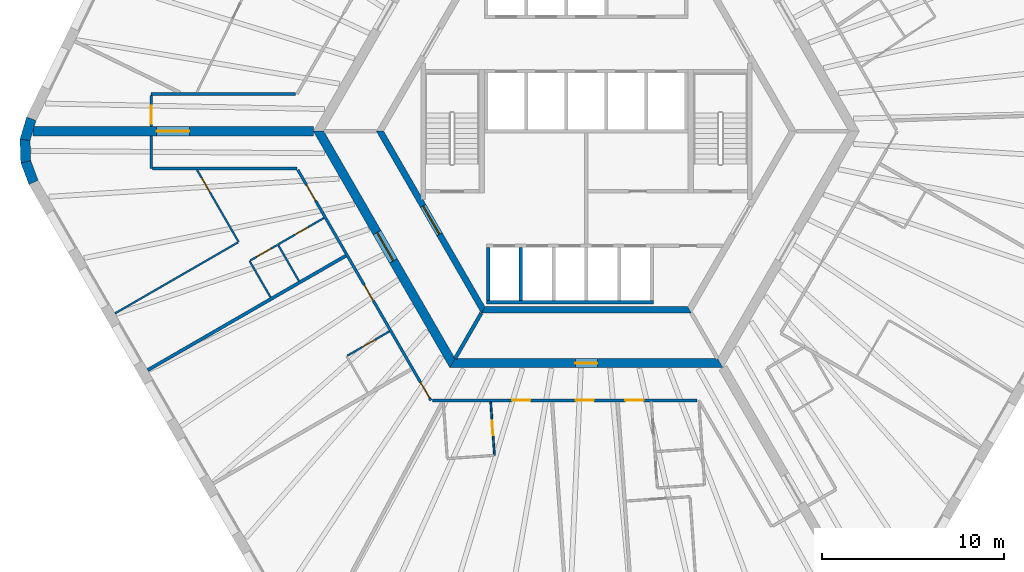
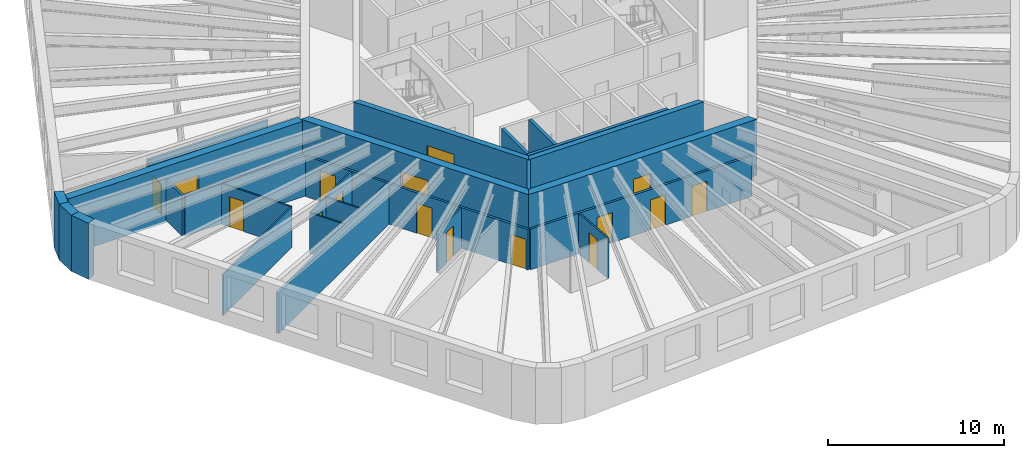
# One storey, part 3 of 10: 27 walls, 16 doors, 16 openings.
"""IFC4 building model written with IfcOpenShell, lengths in metres."""

from ifc_helpers import new_model, si_unit, direction, frame, frame_2d, origin, place, context, subcontext, project, spatial, polyline, rectangle, outline, extrude, material, layer, layer_set, type_object, element, fill, save


model = new_model("IFC4")

# Units and contexts
model_context = context("Model", 3, precision=1e-05, world=origin(), true_north=direction((0.0, 1.0)))
body_context = subcontext(model_context, "Body", "Model", "MODEL_VIEW")
ifc_project = project(units=[si_unit("LENGTHUNIT", "METRE"), si_unit("AREAUNIT", "SQUARE_METRE"), si_unit("VOLUMEUNIT", "CUBIC_METRE"), si_unit("PLANEANGLEUNIT", "RADIAN"), si_unit("MASSUNIT", "GRAM", prefix="KILO")], contexts=[model_context])

# Site, building, storey
site_placement = place(None, origin())
site = spatial("IfcSite", under=ifc_project, at=site_placement, CompositionType="ELEMENT")
building_placement = place(site_placement, origin())
building = spatial("IfcBuilding", under=site, at=building_placement, Name="Tarnside Tower", CompositionType="ELEMENT")
storey_placement = place(building_placement, frame((0.0, 0.0, 156.60009765625)))
storey = spatial("IfcBuildingStorey", under=building, at=storey_placement, Name="L36", CompositionType="ELEMENT", Elevation=156.60009765625)

# Wall, opening, door
ifc_material_1 = material(Name="Gypsum board partition on steel studs", Category="steel")
ifc_layer_1 = layer(ifc_material_1, 0.10009765625)
ifc_layer_set_1 = layer_set([ifc_layer_1], Name="Bathroom wall 100")
wall_type_1 = type_object("IfcWallType", Name="Bathroom wall 100", PredefinedType="PARTITIONING", material=ifc_layer_set_1)
wall_1_placement = place(storey_placement, frame((-16.956298828125, -6.230712890625, 0.0), z_axis=(0.0, 0.0, 1.0), x_axis=(0.866046596414, 0.499963291492, 0.0)))
wall_1 = element("IfcWall", 1, at=wall_1_placement, inside=storey, type_object=wall_type_1, Name="Bathroom wall 11066", PredefinedType="PARTITIONING", context=body_context, shape_type="SweptSolid", body=[
    extrude(rectangle(XDim=2.925048828125, YDim=0.10009765625, at=frame_2d((1.46240234375, 0.0))), origin(), (0.0, 0.0, 1.0), 2.8232421875),
])
opening_1_placement = place(wall_1_placement, frame((1.10009765625, 0.0, 0.0)))
opening_1 = element("IfcOpeningElement", 2, at=opening_1_placement, cuts=wall_1, Name="Opening D-B1", PredefinedType="OPENING", context=body_context, shape_type="SweptSolid", body=[
    extrude(rectangle(XDim=0.800048828125, YDim=2.10009765625, at=frame_2d((0.39990234375, 1.050048828125))), frame((0.0, 0.06005859375, 0.0), z_axis=(0.0, -1.0, 0.0), x_axis=(1.0, 0.0, 0.0)), (0.0, 0.0, 1.0), 0.1201171875),
])
ifc_material_2 = material(Name="Timber door leaf", Category="wood")
door_type_1 = type_object("IfcDoorType", Name="Bathroom door 800", OperationType="NOTDEFINED", PredefinedType="DOOR", material=ifc_material_2)
door_1_placement = place(opening_1_placement, origin())
door_1 = element("IfcDoor", 3, at=door_1_placement, inside=storey, type_object=door_type_1, Name="Bathroom door 11012", OperationType="SINGLE_SWING_LEFT", OverallHeight=2.10009765625, OverallWidth=0.800048828125, PredefinedType="DOOR", context=body_context, shape_type="SweptSolid", body=[
    extrude(rectangle(XDim=0.800048828125, YDim=2.10009765625, at=frame_2d((0.39990234375, 1.050048828125))), frame((0.0, 0.02490234375, 0.0), z_axis=(0.0, -1.0, 0.0), x_axis=(1.0, 0.0, 0.0)), (0.0, 0.0, 1.0), 0.050048828125),
])
fill(opening_1, door_1)

# Wall
wall_2_placement = place(storey_placement, frame((-16.931396484375, -6.274169921875, 0.0), z_axis=(0.0, 0.0, 1.0), x_axis=(0.500077800282, -0.865980481111, 0.0)))
element("IfcWall", 4, at=wall_2_placement, inside=storey, type_object=wall_type_1, Name="Bathroom wall 11072", PredefinedType="PARTITIONING", context=body_context, shape_type="SweptSolid", body=[
    extrude(rectangle(XDim=2.260009765625, YDim=0.10009765625, at=frame_2d((1.1298828125, 0.0))), origin(), (0.0, 0.0, 1.0), 2.8232421875),
])

# Wall, opening, door
wall_3_placement = place(storey_placement, frame((-13.139892578125, -12.341064453125, 0.0), z_axis=(0.0, 0.0, 1.0), x_axis=(0.86604424267, 0.499967368674, 0.0)))
wall_3 = element("IfcWall", 5, at=wall_3_placement, inside=storey, type_object=wall_type_1, Name="Bathroom wall 11076", PredefinedType="PARTITIONING", context=body_context, shape_type="SweptSolid", body=[
    extrude(rectangle(XDim=2.675048828125, YDim=0.10009765625, at=frame_2d((1.33740234375, 0.0))), origin(), (0.0, 0.0, 1.0), 2.8232421875),
])
opening_2_placement = place(wall_3_placement, frame((0.949951171875, 0.0, 0.0)))
opening_2 = element("IfcOpeningElement", 6, at=opening_2_placement, cuts=wall_3, Name="Opening D-B1", PredefinedType="OPENING", context=body_context, shape_type="SweptSolid", body=[
    extrude(rectangle(XDim=0.800048828125, YDim=2.10009765625, at=frame_2d((0.39990234375, 1.050048828125))), frame((0.0, 0.06005859375, 0.0), z_axis=(0.0, -1.0, 0.0), x_axis=(1.0, 0.0, 0.0)), (0.0, 0.0, 1.0), 0.1201171875),
])
door_2_placement = place(opening_2_placement, origin())
door_2 = element("IfcDoor", 7, at=door_2_placement, inside=storey, type_object=door_type_1, Name="Bathroom door 11016", OperationType="SINGLE_SWING_RIGHT", OverallHeight=2.10009765625, OverallWidth=0.800048828125, PredefinedType="DOOR", context=body_context, shape_type="SweptSolid", body=[
    extrude(rectangle(XDim=0.800048828125, YDim=2.10009765625, at=frame_2d((0.39990234375, 1.050048828125))), frame((0.0, 0.02490234375, 0.0), z_axis=(0.0, -1.0, 0.0), x_axis=(1.0, 0.0, 0.0)), (0.0, 0.0, 1.0), 0.050048828125),
])
fill(opening_2, door_2)

wall_4_placement = place(storey_placement, frame((-5.2578125, -14.875, 0.0), z_axis=(0.0, 0.0, 1.0), x_axis=(0.069812665072, -0.997560119389, 0.0)))
wall_4 = element("IfcWall", 8, at=wall_4_placement, inside=storey, type_object=wall_type_1, Name="Bathroom wall 11080", PredefinedType="PARTITIONING", context=body_context, shape_type="SweptSolid", body=[
    extrude(rectangle(XDim=2.951416015625, YDim=0.10009765625, at=frame_2d((1.4755859375, 0.0))), origin(), (0.0, 0.0, 1.0), 2.8232421875),
])
opening_3_placement = place(wall_4_placement, frame((1.051513671875, 0.0, 0.0)))
opening_3 = element("IfcOpeningElement", 9, at=opening_3_placement, cuts=wall_4, Name="Opening D-B1", PredefinedType="OPENING", context=body_context, shape_type="SweptSolid", body=[
    extrude(rectangle(XDim=0.800048828125, YDim=2.10009765625, at=frame_2d((0.39990234375, 1.050048828125))), frame((0.0, 0.06005859375, 0.0), z_axis=(0.0, -1.0, 0.0), x_axis=(1.0, 0.0, 0.0)), (0.0, 0.0, 1.0), 0.1201171875),
])
door_3_placement = place(opening_3_placement, origin())
door_3 = element("IfcDoor", 10, at=door_3_placement, inside=storey, type_object=door_type_1, Name="Bathroom door 11019", OperationType="SINGLE_SWING_LEFT", OverallHeight=2.10009765625, OverallWidth=0.800048828125, PredefinedType="DOOR", context=body_context, shape_type="SweptSolid", body=[
    extrude(rectangle(XDim=0.800048828125, YDim=2.10009765625, at=frame_2d((0.39990234375, 1.050048828125))), frame((0.0, 0.02490234375, 0.0), z_axis=(0.0, -1.0, 0.0), x_axis=(1.0, 0.0, 0.0)), (0.0, 0.0, 1.0), 0.050048828125),
])
fill(opening_3, door_3)

ifc_material_3 = material(Name="Concrete C50/60", Category="concrete")
ifc_layer_2 = layer(ifc_material_3, 0.35009765625)
ifc_layer_set_2 = layer_set([ifc_layer_2], Name="Core block wall 350 C50/60")
wall_type_2 = type_object("IfcWallType", Name="Core block wall 350 C50/60", PredefinedType="SHEAR", material=ifc_layer_set_2)
wall_5_placement = place(storey_placement, frame((-11.344970703125, 0.0, -0.150146484375), z_axis=(0.0, 0.0, 1.0), x_axis=(0.499995046907, -0.866028263435, 0.0)))
wall_5 = element("IfcWall", 11, at=wall_5_placement, inside=storey, type_object=wall_type_2, Name="L36 core block wall face 3", PredefinedType="SHEAR", context=body_context, shape_type="SweptSolid", body=[
    extrude(outline(polyline([(-0.10107421875, -0.175048828125), (11.44580078125, -0.175048828125), (11.24365234375, 0.175048828125), (0.10107421875, 0.175048828125), (-0.10107421875, -0.175048828125)])), origin(), (0.0, 0.0, 1.0), 3.900146484375),
])
opening_4_placement = place(wall_5_placement, frame((4.74365234375, 0.0, 0.14990234375)))
opening_4 = element("IfcOpeningElement", 12, at=opening_4_placement, cuts=wall_5, Name="Opening CD-FFL", PredefinedType="OPENING", context=body_context, shape_type="SweptSolid", body=[
    extrude(rectangle(XDim=1.800048828125, YDim=2.39990234375, at=frame_2d((0.89990234375, 1.199951171875))), frame((0.0, 0.18505859375, 0.0), z_axis=(0.0, -1.0, 0.0), x_axis=(1.0, 0.0, 0.0)), (0.0, 0.0, 1.0), 0.3701171875),
])
ifc_material_4 = material(Name="Steel fire door", Category="steel")
door_type_2 = type_object("IfcDoorType", Name="Firefighting lobby double door FD60S 1800x2400", OperationType="NOTDEFINED", PredefinedType="DOOR", material=ifc_material_4)
door_4_placement = place(opening_4_placement, origin())
door_4 = element("IfcDoor", 13, at=door_4_placement, inside=storey, type_object=door_type_2, Name="L36 lobby block door P3", OperationType="DOUBLE_DOOR_SINGLE_SWING", OverallHeight=2.39990234375, OverallWidth=1.800048828125, PredefinedType="DOOR", context=body_context, shape_type="SweptSolid", body=[
    extrude(rectangle(XDim=1.800048828125, YDim=2.39990234375, at=frame_2d((0.89990234375, 1.199951171875))), frame((0.0, 0.02490234375, 0.0), z_axis=(0.0, -1.0, 0.0), x_axis=(1.0, 0.0, 0.0)), (0.0, 0.0, 1.0), 0.050048828125),
])
fill(opening_4, door_4)

# Wall
wall_6_placement = place(storey_placement, frame((-5.672607421875, -9.824951171875, -0.150146484375), z_axis=(0.0, 0.0, 1.0), x_axis=(1.0, 0.0, 0.0)))
element("IfcWall", 14, at=wall_6_placement, inside=storey, type_object=wall_type_2, Name="L36 core block wall face 4", PredefinedType="SHEAR", context=body_context, shape_type="SweptSolid", body=[
    extrude(outline(polyline([(-0.10107421875, -0.175048828125), (11.4462890625, -0.175048828125), (11.244140625, 0.175048828125), (0.10107421875, 0.175048828125), (-0.10107421875, -0.175048828125)])), origin(), (0.0, 0.0, 1.0), 3.900146484375),
])

# Wall, opening, door
ifc_material_5 = material(Name="Concrete C70/85", Category="concrete")
ifc_layer_3 = layer(ifc_material_5, 0.5)
ifc_layer_set_3 = layer_set([ifc_layer_3], Name="Core wall Z2 500 C70/85")
wall_type_3 = type_object("IfcWallType", Name="Core wall Z2 500 C70/85", PredefinedType="SHEAR", material=ifc_layer_set_3)
wall_7_placement = place(storey_placement, frame((-14.722412109375, 0.0, -0.150146484375), z_axis=(0.0, 0.0, 1.0), x_axis=(0.50000571537, -0.866022103989, 0.0)))
wall_7 = element("IfcWall", 15, at=wall_7_placement, inside=storey, type_object=wall_type_3, Name="L36 core wall face 3", PredefinedType="SHEAR", context=body_context, shape_type="SweptSolid", body=[
    extrude(outline(polyline([(-0.144287109375, -0.25), (14.86669921875, -0.25), (14.578125, 0.25), (0.144287109375, 0.25), (-0.144287109375, -0.25)])), origin(), (0.0, 0.0, 1.0), 3.900146484375),
])
opening_5_placement = place(wall_7_placement, frame((6.432373046875, 0.0, 0.14990234375)))
opening_5 = element("IfcOpeningElement", 16, at=opening_5_placement, cuts=wall_7, Name="Opening CD-FFL", PredefinedType="OPENING", context=body_context, shape_type="SweptSolid", body=[
    extrude(rectangle(XDim=1.800048828125, YDim=2.39990234375, at=frame_2d((0.89990234375, 1.199951171875))), frame((0.0, 0.260009765625, 0.0), z_axis=(0.0, -1.0, 0.0), x_axis=(1.0, 0.0, 0.0)), (0.0, 0.0, 1.0), 0.52001953125),
])
door_5_placement = place(opening_5_placement, origin())
door_5 = element("IfcDoor", 17, at=door_5_placement, inside=storey, type_object=door_type_2, Name="L36 core door P3", OperationType="DOUBLE_DOOR_SINGLE_SWING", OverallHeight=2.39990234375, OverallWidth=1.800048828125, PredefinedType="DOOR", context=body_context, shape_type="SweptSolid", body=[
    extrude(rectangle(XDim=1.800048828125, YDim=2.39990234375, at=frame_2d((0.89990234375, 1.199951171875))), frame((0.0, 0.02490234375, 0.0), z_axis=(0.0, -1.0, 0.0), x_axis=(1.0, 0.0, 0.0)), (0.0, 0.0, 1.0), 0.050048828125),
])
fill(opening_5, door_5)

wall_8_placement = place(storey_placement, frame((-7.361083984375, -12.75, -0.150146484375), z_axis=(0.0, 0.0, 1.0), x_axis=(1.0, 0.0, 0.0)))
wall_8 = element("IfcWall", 18, at=wall_8_placement, inside=storey, type_object=wall_type_3, Name="L36 core wall face 4", PredefinedType="SHEAR", context=body_context, shape_type="SweptSolid", body=[
    extrude(outline(polyline([(-0.144287109375, -0.25), (14.866455078125, -0.25), (14.577880859375, 0.25), (0.144287109375, 0.25), (-0.144287109375, -0.25)])), origin(), (0.0, 0.0, 1.0), 3.900146484375),
])
opening_6_placement = place(wall_8_placement, frame((6.76123046875, 0.0, 0.14990234375)))
opening_6 = element("IfcOpeningElement", 19, at=opening_6_placement, cuts=wall_8, Name="Opening CD-RSR", PredefinedType="OPENING", context=body_context, shape_type="SweptSolid", body=[
    extrude(rectangle(XDim=1.199951171875, YDim=2.39990234375, at=frame_2d((0.60009765625, 1.199951171875))), frame((0.0, 0.260009765625, 0.0), z_axis=(0.0, -1.0, 0.0), x_axis=(1.0, 0.0, 0.0)), (0.0, 0.0, 1.0), 0.52001953125),
])
door_type_3 = type_object("IfcDoorType", Name="Riser door FD60 1200x2400", OperationType="NOTDEFINED", PredefinedType="DOOR", material=ifc_material_4)
door_6_placement = place(opening_6_placement, origin())
door_6 = element("IfcDoor", 20, at=door_6_placement, inside=storey, type_object=door_type_3, Name="L36 core door S6", OperationType="SINGLE_SWING_LEFT", OverallHeight=2.39990234375, OverallWidth=1.199951171875, PredefinedType="DOOR", context=body_context, shape_type="SweptSolid", body=[
    extrude(rectangle(XDim=1.199951171875, YDim=2.39990234375, at=frame_2d((0.60009765625, 1.199951171875))), frame((0.0, 0.02490234375, 0.0), z_axis=(0.0, -1.0, 0.0), x_axis=(1.0, 0.0, 0.0)), (0.0, 0.0, 1.0), 0.050048828125),
])
fill(opening_6, door_6)

wall_9_placement = place(storey_placement, frame((-15.010986328125, 0.0, -0.150146484375), z_axis=(0.0, 0.0, 1.0), x_axis=(-1.0, 0.0, 0.0)))
wall_9 = element("IfcWall", 21, at=wall_9_placement, inside=storey, type_object=wall_type_3, Name="L36 spine wall 2", PredefinedType="SHEAR", context=body_context, shape_type="SweptSolid", body=[
    extrude(rectangle(XDim=15.423828125, YDim=0.5, at=frame_2d((7.7119140625, 0.0))), origin(), (0.0, 0.0, 1.0), 3.900146484375),
])
opening_7_placement = place(wall_9_placement, frame((6.811767578125, 0.0, 0.14990234375)))
opening_7 = element("IfcOpeningElement", 22, at=opening_7_placement, cuts=wall_9, Name="Opening CD-SPN", PredefinedType="OPENING", context=body_context, shape_type="SweptSolid", body=[
    extrude(rectangle(XDim=1.800048828125, YDim=2.39990234375, at=frame_2d((0.89990234375, 1.199951171875))), frame((0.0, 0.260009765625, 0.0), z_axis=(0.0, -1.0, 0.0), x_axis=(1.0, 0.0, 0.0)), (0.0, 0.0, 1.0), 0.52001953125),
])
door_type_4 = type_object("IfcDoorType", Name="Spine passage double door FD60 1800x2400", OperationType="NOTDEFINED", PredefinedType="DOOR", material=ifc_material_4)
door_7_placement = place(opening_7_placement, origin())
door_7 = element("IfcDoor", 23, at=door_7_placement, inside=storey, type_object=door_type_4, Name="L36 spine passage door 2", OperationType="DOUBLE_DOOR_SINGLE_SWING", OverallHeight=2.39990234375, OverallWidth=1.800048828125, PredefinedType="DOOR", context=body_context, shape_type="SweptSolid", body=[
    extrude(rectangle(XDim=1.800048828125, YDim=2.39990234375, at=frame_2d((0.89990234375, 1.199951171875))), frame((0.0, 0.02490234375, 0.0), z_axis=(0.0, -1.0, 0.0), x_axis=(1.0, 0.0, 0.0)), (0.0, 0.0, 1.0), 0.050048828125),
])
fill(opening_7, door_7)

# Wall
ifc_layer_4 = layer(ifc_material_1, 0.14990234375)
ifc_layer_set_4 = layer_set([ifc_layer_4], Name="Corridor wall 150 EI 60")
wall_type_4 = type_object("IfcWallType", Name="Corridor wall 150 EI 60", PredefinedType="PARTITIONING", material=ifc_layer_set_4)
wall_10_placement = place(storey_placement, frame((-15.99267578125, 2.050048828125, 0.0), z_axis=(0.0, 0.0, 1.0), x_axis=(-1.0, 0.0, 0.0)))
element("IfcWall", 24, at=wall_10_placement, inside=storey, type_object=wall_type_4, Name="Corridor wall 11011", PredefinedType="PARTITIONING", context=body_context, shape_type="SweptSolid", body=[
    extrude(rectangle(XDim=7.93017578125, YDim=0.14990234375, at=frame_2d((3.965087890625, 0.0))), origin(), (0.0, 0.0, 1.0), 2.8232421875),
])

# Wall, opening, door
wall_11_placement = place(storey_placement, frame((-23.9228515625, 1.97509765625, 0.0), z_axis=(0.0, 0.0, 1.0), x_axis=(0.0, -1.0, 0.0)))
wall_11 = element("IfcWall", 25, at=wall_11_placement, inside=storey, type_object=wall_type_4, Name="Corridor wall 11015", PredefinedType="PARTITIONING", context=body_context, shape_type="SweptSolid", body=[
    extrude(rectangle(XDim=1.72509765625, YDim=0.14990234375, at=frame_2d((0.862548828125, 0.0))), origin(), (0.0, 0.0, 1.0), 2.8232421875),
])
opening_8_placement = place(wall_11_placement, frame((0.574951171875, 0.0, 0.0)))
opening_8 = element("IfcOpeningElement", 26, at=opening_8_placement, cuts=wall_11, Name="Opening D-E1", PredefinedType="OPENING", context=body_context, shape_type="SweptSolid", body=[
    extrude(rectangle(XDim=1.0, YDim=2.10009765625, at=frame_2d((0.5, 1.050048828125))), frame((0.0, 0.0849609375, 0.0), z_axis=(0.0, -1.0, 0.0), x_axis=(1.0, 0.0, 0.0)), (0.0, 0.0, 1.0), 0.169921875),
])
door_type_5 = type_object("IfcDoorType", Name="Unit entrance door 1000 FD30S", OperationType="NOTDEFINED", PredefinedType="DOOR", material=ifc_material_2)
door_8_placement = place(opening_8_placement, origin())
door_8 = element("IfcDoor", 27, at=door_8_placement, inside=storey, type_object=door_type_5, Name="Unit door 11010", OperationType="SINGLE_SWING_LEFT", OverallHeight=2.10009765625, OverallWidth=1.0, PredefinedType="DOOR", context=body_context, shape_type="SweptSolid", body=[
    extrude(rectangle(XDim=1.0, YDim=2.10009765625, at=frame_2d((0.5, 1.050048828125))), frame((0.0, 0.02490234375, 0.0), z_axis=(0.0, -1.0, 0.0), x_axis=(1.0, 0.0, 0.0)), (0.0, 0.0, 1.0), 0.050048828125),
])
fill(opening_8, door_8)

# Wall
wall_12_placement = place(storey_placement, frame((-23.847900390625, -2.050048828125, 0.0), z_axis=(0.0, 0.0, 1.0), x_axis=(1.0, 0.0, 0.0)))
element("IfcWall", 28, at=wall_12_placement, inside=storey, type_object=wall_type_4, Name="Corridor wall 11016", PredefinedType="PARTITIONING", context=body_context, shape_type="SweptSolid", body=[
    extrude(rectangle(XDim=7.94189453125, YDim=0.14990234375, at=frame_2d((3.970947265625, 0.0))), origin(), (0.0, 0.0, 1.0), 2.8232421875),
])

# Wall, openings, doors
wall_13_placement = place(storey_placement, frame((-15.86279296875, -2.125, 0.0), z_axis=(0.0, 0.0, 1.0), x_axis=(0.500008833422, -0.866020303746, 0.0)))
wall_13 = element("IfcWall", 29, at=wall_13_placement, inside=storey, type_object=wall_type_4, Name="Corridor wall 11017", PredefinedType="PARTITIONING", context=body_context, shape_type="SweptSolid", body=[
    extrude(rectangle(XDim=14.635986328125, YDim=0.14990234375, at=frame_2d((7.31787109375, 0.0))), origin(), (0.0, 0.0, 1.0), 2.8232421875),
])
opening_9_placement = place(wall_13_placement, frame((0.961181640625, 0.0, 0.0)))
opening_9 = element("IfcOpeningElement", 30, at=opening_9_placement, cuts=wall_13, Name="Opening D-E1", PredefinedType="OPENING", context=body_context, shape_type="SweptSolid", body=[
    extrude(rectangle(XDim=1.0, YDim=2.10009765625, at=frame_2d((0.5, 1.050048828125))), frame((0.0, 0.0849609375, 0.0), z_axis=(0.0, -1.0, 0.0), x_axis=(1.0, 0.0, 0.0)), (0.0, 0.0, 1.0), 0.169921875),
])
opening_10_placement = place(wall_13_placement, frame((7.308837890625, 0.0, 0.0)))
opening_10 = element("IfcOpeningElement", 31, at=opening_10_placement, cuts=wall_13, Name="Opening D-E1", PredefinedType="OPENING", context=body_context, shape_type="SweptSolid", body=[
    extrude(rectangle(XDim=1.0, YDim=2.10009765625, at=frame_2d((0.5, 1.050048828125))), frame((0.0, 0.0849609375, 0.0), z_axis=(0.0, -1.0, 0.0), x_axis=(1.0, 0.0, 0.0)), (0.0, 0.0, 1.0), 0.169921875),
])
opening_11_placement = place(wall_13_placement, frame((13.48583984375, 0.0, 0.0)))
opening_11 = element("IfcOpeningElement", 32, at=opening_11_placement, cuts=wall_13, Name="Opening D-E1", PredefinedType="OPENING", context=body_context, shape_type="SweptSolid", body=[
    extrude(rectangle(XDim=1.0, YDim=2.10009765625, at=frame_2d((0.5, 1.050048828125))), frame((0.0, 0.0849609375, 0.0), z_axis=(0.0, -1.0, 0.0), x_axis=(1.0, 0.0, 0.0)), (0.0, 0.0, 1.0), 0.169921875),
])
door_9_placement = place(opening_9_placement, origin())
door_9 = element("IfcDoor", 33, at=door_9_placement, inside=storey, type_object=door_type_5, Name="Unit door 11011", OperationType="SINGLE_SWING_RIGHT", OverallHeight=2.10009765625, OverallWidth=1.0, PredefinedType="DOOR", context=body_context, shape_type="SweptSolid", body=[
    extrude(rectangle(XDim=1.0, YDim=2.10009765625, at=frame_2d((0.5, 1.050048828125))), frame((0.0, 0.02490234375, 0.0), z_axis=(0.0, -1.0, 0.0), x_axis=(1.0, 0.0, 0.0)), (0.0, 0.0, 1.0), 0.050048828125),
])
fill(opening_9, door_9)
door_10_placement = place(opening_10_placement, origin())
door_10 = element("IfcDoor", 34, at=door_10_placement, inside=storey, type_object=door_type_5, Name="Unit door 11015", OperationType="SINGLE_SWING_LEFT", OverallHeight=2.10009765625, OverallWidth=1.0, PredefinedType="DOOR", context=body_context, shape_type="SweptSolid", body=[
    extrude(rectangle(XDim=1.0, YDim=2.10009765625, at=frame_2d((0.5, 1.050048828125))), frame((0.0, 0.02490234375, 0.0), z_axis=(0.0, -1.0, 0.0), x_axis=(1.0, 0.0, 0.0)), (0.0, 0.0, 1.0), 0.050048828125),
])
fill(opening_10, door_10)
door_11_placement = place(opening_11_placement, origin())
door_11 = element("IfcDoor", 35, at=door_11_placement, inside=storey, type_object=door_type_5, Name="Unit door 11017", OperationType="SINGLE_SWING_LEFT", OverallHeight=2.10009765625, OverallWidth=1.0, PredefinedType="DOOR", context=body_context, shape_type="SweptSolid", body=[
    extrude(rectangle(XDim=1.0, YDim=2.10009765625, at=frame_2d((0.5, 1.050048828125))), frame((0.0, 0.02490234375, 0.0), z_axis=(0.0, -1.0, 0.0), x_axis=(1.0, 0.0, 0.0)), (0.0, 0.0, 1.0), 0.050048828125),
])
fill(opening_11, door_11)

# Wall
wall_14_placement = place(storey_placement, frame((-23.9228515625, -0.25, 0.0), z_axis=(0.0, 0.0, 1.0), x_axis=(0.0, -1.0, 0.0)))
element("IfcWall", 36, at=wall_14_placement, inside=storey, type_object=wall_type_4, Name="Corridor wall 11019", PredefinedType="PARTITIONING", context=body_context, shape_type="SweptSolid", body=[
    extrude(rectangle(XDim=1.800048828125, YDim=0.14990234375, at=frame_2d((0.89990234375, 0.0))), origin(), (0.0, 0.0, 1.0), 2.8232421875),
])

# Wall, openings, doors
wall_15_placement = place(storey_placement, frame((-8.458251953125, -14.800048828125, 0.0), z_axis=(0.0, 0.0, 1.0), x_axis=(1.0, 0.0, 0.0)))
wall_15 = element("IfcWall", 37, at=wall_15_placement, inside=storey, type_object=wall_type_4, Name="Corridor wall 11024", PredefinedType="PARTITIONING", context=body_context, shape_type="SweptSolid", body=[
    extrude(rectangle(XDim=14.54931640625, YDim=0.14990234375, at=frame_2d((7.274658203125, 0.0))), origin(), (0.0, 0.0, 1.0), 2.8232421875),
])
opening_12_placement = place(wall_15_placement, frame((4.375244140625, 0.0, 0.0)))
opening_12 = element("IfcOpeningElement", 38, at=opening_12_placement, cuts=wall_15, Name="Opening D-E1", PredefinedType="OPENING", context=body_context, shape_type="SweptSolid", body=[
    extrude(rectangle(XDim=1.0, YDim=2.10009765625, at=frame_2d((0.5, 1.050048828125))), frame((0.0, 0.0849609375, 0.0), z_axis=(0.0, -1.0, 0.0), x_axis=(1.0, 0.0, 0.0)), (0.0, 0.0, 1.0), 0.169921875),
])
opening_13_placement = place(wall_15_placement, frame((7.872314453125, 0.0, 0.0)))
opening_13 = element("IfcOpeningElement", 39, at=opening_13_placement, cuts=wall_15, Name="Opening D-E1", PredefinedType="OPENING", context=body_context, shape_type="SweptSolid", body=[
    extrude(rectangle(XDim=1.0, YDim=2.10009765625, at=frame_2d((0.5, 1.050048828125))), frame((0.0, 0.0849609375, 0.0), z_axis=(0.0, -1.0, 0.0), x_axis=(1.0, 0.0, 0.0)), (0.0, 0.0, 1.0), 0.169921875),
])
opening_14_placement = place(wall_15_placement, frame((10.609375, 0.0, 0.0)))
opening_14 = element("IfcOpeningElement", 40, at=opening_14_placement, cuts=wall_15, Name="Opening D-E1", PredefinedType="OPENING", context=body_context, shape_type="SweptSolid", body=[
    extrude(rectangle(XDim=1.0, YDim=2.10009765625, at=frame_2d((0.5, 1.050048828125))), frame((0.0, 0.0849609375, 0.0), z_axis=(0.0, -1.0, 0.0), x_axis=(1.0, 0.0, 0.0)), (0.0, 0.0, 1.0), 0.169921875),
])
door_12_placement = place(opening_12_placement, origin())
door_12 = element("IfcDoor", 41, at=door_12_placement, inside=storey, type_object=door_type_5, Name="Unit door 11018", OperationType="SINGLE_SWING_LEFT", OverallHeight=2.10009765625, OverallWidth=1.0, PredefinedType="DOOR", context=body_context, shape_type="SweptSolid", body=[
    extrude(rectangle(XDim=1.0, YDim=2.10009765625, at=frame_2d((0.5, 1.050048828125))), frame((0.0, 0.02490234375, 0.0), z_axis=(0.0, -1.0, 0.0), x_axis=(1.0, 0.0, 0.0)), (0.0, 0.0, 1.0), 0.050048828125),
])
fill(opening_12, door_12)
door_13_placement = place(opening_13_placement, origin())
door_13 = element("IfcDoor", 42, at=door_13_placement, inside=storey, type_object=door_type_5, Name="Unit door 11020", OperationType="SINGLE_SWING_RIGHT", OverallHeight=2.10009765625, OverallWidth=1.0, PredefinedType="DOOR", context=body_context, shape_type="SweptSolid", body=[
    extrude(rectangle(XDim=1.0, YDim=2.10009765625, at=frame_2d((0.5, 1.050048828125))), frame((0.0, 0.02490234375, 0.0), z_axis=(0.0, -1.0, 0.0), x_axis=(1.0, 0.0, 0.0)), (0.0, 0.0, 1.0), 0.050048828125),
])
fill(opening_13, door_13)
door_14_placement = place(opening_14_placement, origin())
door_14 = element("IfcDoor", 43, at=door_14_placement, inside=storey, type_object=door_type_5, Name="Unit door 11021", OperationType="SINGLE_SWING_RIGHT", OverallHeight=2.10009765625, OverallWidth=1.0, PredefinedType="DOOR", context=body_context, shape_type="SweptSolid", body=[
    extrude(rectangle(XDim=1.0, YDim=2.10009765625, at=frame_2d((0.5, 1.050048828125))), frame((0.0, 0.02490234375, 0.0), z_axis=(0.0, -1.0, 0.0), x_axis=(1.0, 0.0, 0.0)), (0.0, 0.0, 1.0), 0.050048828125),
])
fill(opening_14, door_14)

# Walls
ifc_layer_5 = layer(ifc_material_1, 0.179931640625)
ifc_layer_set_5 = layer_set([ifc_layer_5], Name="Demising wall 180 EI 60")
wall_type_5 = type_object("IfcWallType", Name="Demising wall 180 EI 60", PredefinedType="PARTITIONING", material=ifc_layer_set_5)
wall_16_placement = place(storey_placement, frame((-24.113525390625, -13.13427734375, 0.0), z_axis=(0.0, 0.0, 1.0), x_axis=(0.866024255907, 0.500001988177, 0.0)))
element("IfcWall", 44, at=wall_16_placement, inside=storey, type_object=wall_type_5, Name="Demising wall 11071", PredefinedType="PARTITIONING", context=body_context, shape_type="SweptSolid", body=[
    extrude(rectangle(XDim=12.5751953125, YDim=0.179931640625, at=frame_2d((6.28759765625, 0.0))), origin(), (0.0, 0.0, 1.0), 2.8232421875),
])
ifc_material_6 = material(Name="Concrete C40/50", Category="concrete")
ifc_layer_6 = layer(ifc_material_6, 0.199951171875)
ifc_layer_set_6 = layer_set([ifc_layer_6], Name="Lift shaft wall 200 C40/50")
wall_type_6 = type_object("IfcWallType", Name="Lift shaft wall 200 C40/50", PredefinedType="SHEAR", material=ifc_layer_set_6)
wall_17_placement = place(storey_placement, frame((-5.5, -9.39990234375, -0.25), z_axis=(0.0, 0.0, 1.0), x_axis=(1.0, 0.0, 0.0)))
element("IfcWall", 45, at=wall_17_placement, inside=storey, type_object=wall_type_6, Name="L36 lift shaft back wall R4", PredefinedType="SHEAR", context=body_context, shape_type="SweptSolid", body=[
    extrude(rectangle(XDim=9.199951171875, YDim=0.199951171875, at=frame_2d((4.60009765625, 0.0))), origin(), (0.0, 0.0, 1.0), 3.89990234375),
])
for number, where, z_axis, x_axis, name in (
    (46, (-5.39990234375, -9.300048828125, -0.25), (0.0, 0.0, 1.0), (0.0, 1.0, 0.0), "L36 lift shaft partition R41"),
    (47, (-3.60009765625, -9.300048828125, -0.25), (0.0, 0.0, 1.0), (0.0, 1.0, 0.0), "L36 lift shaft partition R42"),
):
    element("IfcWall", number, at=place(storey_placement, frame(where, z_axis=z_axis, x_axis=x_axis)), inside=storey, type_object=wall_type_6, Name=name, PredefinedType="SHEAR", context=body_context, shape_type="SweptSolid", body=[
        extrude(rectangle(XDim=2.900146484375, YDim=0.199951171875, at=frame_2d((1.4501953125, 0.0))), origin(), (0.0, 0.0, 1.0), 3.89990234375),
    ])
wall_18_placement = place(storey_placement, frame((-5.7734375, -10.0, -0.150146484375), z_axis=(0.0, 0.0, 1.0), x_axis=(-0.499995765644, -0.866027848477, 0.0)))
element("IfcWall", 48, at=wall_18_placement, inside=storey, type_object=wall_type_6, Name="L36 core partition AR240", PredefinedType="SHEAR", context=body_context, shape_type="SweptSolid", body=[
    extrude(rectangle(XDim=2.88671875, YDim=0.199951171875, at=frame_2d((1.443359375, 0.0))), origin(), (0.0, 0.0, 1.0), 3.900146484375),
])
ifc_layer_7 = layer(ifc_material_1, 0.10009765625)
ifc_layer_set_7 = layer_set([ifc_layer_7], Name="Partition 100")
wall_type_7 = type_object("IfcWallType", Name="Partition 100", PredefinedType="PARTITIONING", material=ifc_layer_set_7)
wall_19_placement = place(storey_placement, frame((-17.360107421875, -9.13134765625, 0.0), z_axis=(0.0, 0.0, 1.0), x_axis=(-0.500015210774, 0.866016621662, 0.0)))
element("IfcWall", 49, at=wall_19_placement, inside=storey, type_object=wall_type_7, Name="Partition wall 11067", PredefinedType="PARTITIONING", context=body_context, shape_type="SweptSolid", body=[
    extrude(rectangle(XDim=2.31005859375, YDim=0.10009765625, at=frame_2d((1.155029296875, 0.0))), origin(), (0.0, 0.0, 1.0), 2.8232421875),
])

# Wall, opening, door
wall_20_placement = place(storey_placement, frame((-18.471923828125, -7.105712890625, 0.0), z_axis=(0.0, 0.0, 1.0), x_axis=(0.866087547558, 0.499892348375, 0.0)))
wall_20 = element("IfcWall", 50, at=wall_20_placement, inside=storey, type_object=wall_type_7, Name="Partition wall 11068", PredefinedType="PARTITIONING", context=body_context, shape_type="SweptSolid", body=[
    extrude(rectangle(XDim=1.699951171875, YDim=0.10009765625, at=frame_2d((0.85009765625, 0.0))), origin(), (0.0, 0.0, 1.0), 2.8232421875),
])
opening_15_placement = place(wall_20_placement, frame((0.39990234375, 0.0, 0.0)))
opening_15 = element("IfcOpeningElement", 51, at=opening_15_placement, cuts=wall_20, Name="Opening D-I1", PredefinedType="OPENING", context=body_context, shape_type="SweptSolid", body=[
    extrude(rectangle(XDim=0.89990234375, YDim=2.10009765625, at=frame_2d((0.449951171875, 1.050048828125))), frame((0.0, 0.06005859375, 0.0), z_axis=(0.0, -1.0, 0.0), x_axis=(1.0, 0.0, 0.0)), (0.0, 0.0, 1.0), 0.1201171875),
])
door_type_6 = type_object("IfcDoorType", Name="Internal door 900", OperationType="NOTDEFINED", PredefinedType="DOOR", material=ifc_material_2)
door_15_placement = place(opening_15_placement, origin())
door_15 = element("IfcDoor", 52, at=door_15_placement, inside=storey, type_object=door_type_6, Name="Internal door 11013", OperationType="SINGLE_SWING_RIGHT", OverallHeight=2.10009765625, OverallWidth=0.89990234375, PredefinedType="DOOR", context=body_context, shape_type="SweptSolid", body=[
    extrude(rectangle(XDim=0.89990234375, YDim=2.10009765625, at=frame_2d((0.449951171875, 1.050048828125))), frame((0.0, 0.02490234375, 0.0), z_axis=(0.0, -1.0, 0.0), x_axis=(1.0, 0.0, 0.0)), (0.0, 0.0, 1.0), 0.050048828125),
])
fill(opening_15, door_15)

wall_21_placement = place(storey_placement, frame((-21.4052734375, -2.125, 0.0), z_axis=(0.0, 0.0, 1.0), x_axis=(0.49999161165, -0.866030246746, 0.0)))
wall_21 = element("IfcWall", 53, at=wall_21_placement, inside=storey, type_object=wall_type_7, Name="Partition wall 11069", PredefinedType="PARTITIONING", context=body_context, shape_type="SweptSolid", body=[
    extrude(rectangle(XDim=4.580078125, YDim=0.10009765625, at=frame_2d((2.2900390625, 0.0))), origin(), (0.0, 0.0, 1.0), 2.8232421875),
])
opening_16_placement = place(wall_21_placement, frame((0.5302734375, 0.0, 0.0)))
opening_16 = element("IfcOpeningElement", 54, at=opening_16_placement, cuts=wall_21, Name="Opening D-I1", PredefinedType="OPENING", context=body_context, shape_type="SweptSolid", body=[
    extrude(rectangle(XDim=0.89990234375, YDim=2.10009765625, at=frame_2d((0.449951171875, 1.050048828125))), frame((0.0, 0.06005859375, 0.0), z_axis=(0.0, -1.0, 0.0), x_axis=(1.0, 0.0, 0.0)), (0.0, 0.0, 1.0), 0.1201171875),
])
door_16_placement = place(opening_16_placement, origin())
door_16 = element("IfcDoor", 55, at=door_16_placement, inside=storey, type_object=door_type_6, Name="Internal door 11014", OperationType="SINGLE_SWING_RIGHT", OverallHeight=2.10009765625, OverallWidth=0.89990234375, PredefinedType="DOOR", context=body_context, shape_type="SweptSolid", body=[
    extrude(rectangle(XDim=0.89990234375, YDim=2.10009765625, at=frame_2d((0.449951171875, 1.050048828125))), frame((0.0, 0.02490234375, 0.0), z_axis=(0.0, -1.0, 0.0), x_axis=(1.0, 0.0, 0.0)), (0.0, 0.0, 1.0), 0.050048828125),
])
fill(opening_16, door_16)

# Walls
wall_22_placement = place(storey_placement, frame((-19.158447265625, -6.116455078125, 0.0), z_axis=(0.0, 0.0, 1.0), x_axis=(-0.866021400173, -0.500006934395, 0.0)))
element("IfcWall", 56, at=wall_22_placement, inside=storey, type_object=wall_type_7, Name="Partition wall 11070", PredefinedType="PARTITIONING", context=body_context, shape_type="SweptSolid", body=[
    extrude(rectangle(XDim=7.80029296875, YDim=0.10009765625, at=frame_2d((3.900146484375, 0.0))), origin(), (0.0, 0.0, 1.0), 2.8232421875),
])
ifc_material_7 = material(Name="Facing brick", Category="masonry")
ifc_layer_8 = layer(ifc_material_7, 0.10205078125)
ifc_material_8 = material(Name="Concrete C60/75 precast", Category="concrete")
ifc_layer_9 = layer(ifc_material_8, 0.347900390625)
ifc_material_9 = material(Name="Mineral wool insulation")
ifc_layer_10 = layer(ifc_material_9, 0.10009765625)
ifc_layer_set_8 = layer_set([ifc_layer_8, ifc_layer_9, ifc_layer_10], Name="Tube wall 550 brick faced")
wall_type_8 = type_object("IfcWallType", Name="Tube wall 550 brick faced", PredefinedType="SOLIDWALL", material=ifc_layer_set_8)
wall_23_placement = place(storey_placement, frame((-30.51318359375, 0.684326171875, -0.150146484375), z_axis=(0.0, 0.0, 1.0), x_axis=(-0.286736058109, -0.958009620505, 0.0)))
element("IfcWall", 57, at=wall_23_placement, inside=storey, type_object=wall_type_8, Name="Tube wall L36 F2 chord 05", PredefinedType="SOLIDWALL", context=body_context, shape_type="SweptSolid", body=[
    extrude(outline(polyline([(-0.0224609375, -0.27490234375), (1.25341796875, -0.27490234375), (1.1630859375, 0.27490234375), (0.0224609375, 0.27490234375), (-0.0224609375, -0.27490234375)])), origin(), (0.0, 0.0, 1.0), 3.900146484375),
])
wall_24_placement = place(storey_placement, frame((-30.859619140625, -0.47314453125, -0.150146484375), z_axis=(0.0, 0.0, 1.0), x_axis=(0.03495638276, -0.999388838893, 0.0)))
element("IfcWall", 58, at=wall_24_placement, inside=storey, type_object=wall_type_8, Name="Tube wall L36 F2 chord 06", PredefinedType="SOLIDWALL", context=body_context, shape_type="SweptSolid", body=[
    extrude(outline(polyline([(-0.045166015625, -0.27490234375), (1.25341796875, -0.27490234375), (1.1630859375, 0.27490234375), (0.045166015625, 0.27490234375), (-0.045166015625, -0.27490234375)])), origin(), (0.0, 0.0, 1.0), 3.900146484375),
])
wall_25_placement = place(storey_placement, frame((-30.8173828125, -1.6806640625, -0.150146484375), z_axis=(0.0, 0.0, 1.0), x_axis=(0.352850303963, -0.935679786569, 0.0)))
element("IfcWall", 59, at=wall_25_placement, inside=storey, type_object=wall_type_8, Name="Tube wall L36 F2 chord 07", PredefinedType="SOLIDWALL", context=body_context, shape_type="SweptSolid", body=[
    extrude(outline(polyline([(-0.045166015625, -0.27490234375), (1.23046875, -0.27490234375), (1.185546875, 0.27490234375), (0.045166015625, 0.27490234375), (-0.045166015625, -0.27490234375)])), origin(), (0.0, 0.0, 1.0), 3.900146484375),
])

save(model, "model.ifc")
